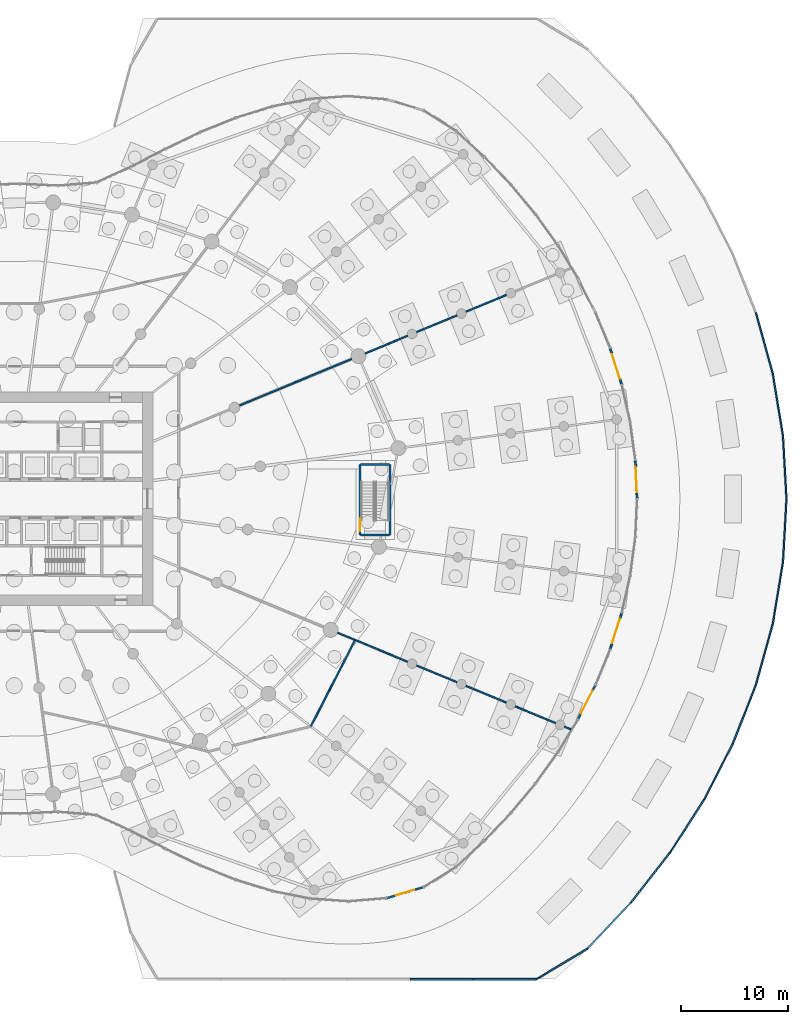
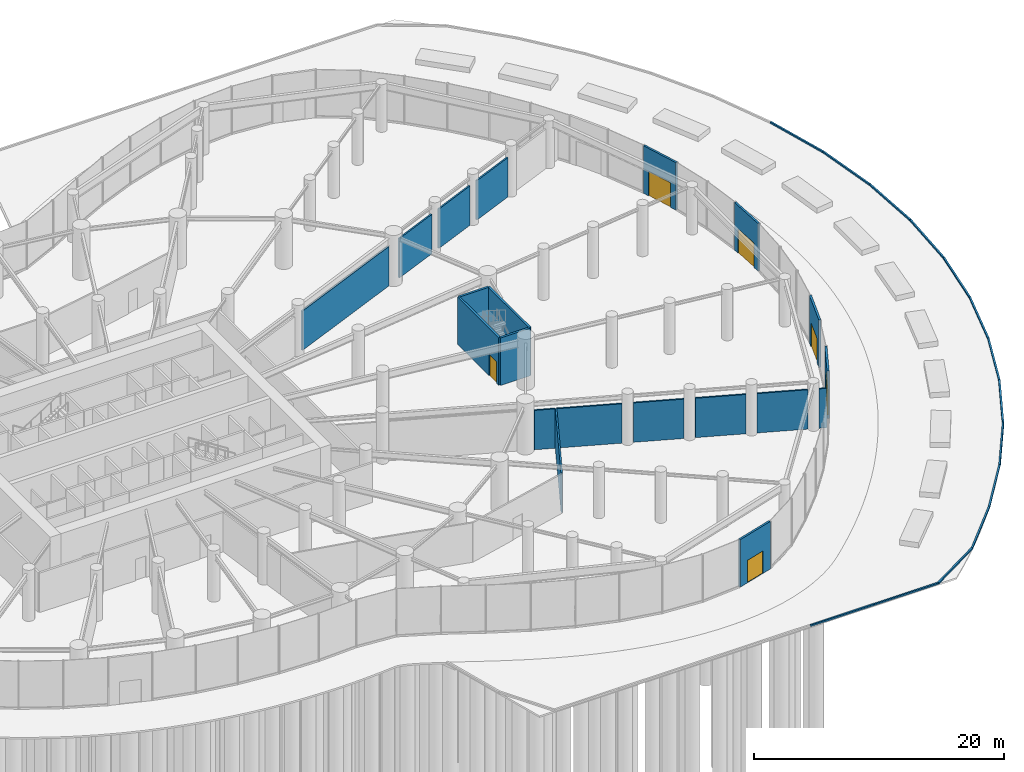
# One storey, part 22 of 28: 34 walls, 6 doors, 6 openings.
"""IFC4 building model written with IfcOpenShell, lengths in metres."""

import ifcopenshell
import ifcopenshell.guid

model = None  # the IFC model being written
_history = None  # IfcOwnerHistory: only IFC2X3 demands one
_inside = {}  # id of a spatial element -> (the spatial element, [elements in it])
_under = {}  # id of a project, library or spatial element -> (it, [spatial elements below it])
_declared = {}  # id of a project -> (the project, [libraries it declares])
_typed = {}  # id of a type object -> (the type object, [elements of that type])
_made_of = {}  # id of a material, layer set ... -> (it, [elements and type objects made of it])


def new_model(schema):
    """Start an empty IFC model of exactly this schema.

    Asked for "IFC4X3", IfcOpenShell would pick the latest addendum, in which some entities
    have other attributes; the version numbers below select the first issue.
    IFC2X3 requires an IfcOwnerHistory on every rooted entity: one is made here for all.
    """
    global model, _history
    if schema == "IFC4X3":
        model = ifcopenshell.file(schema_version=(4, 3, 0, 0))
    else:
        model = ifcopenshell.file(schema=schema)
    _inside.clear()
    _under.clear()
    _declared.clear()
    _typed.clear()
    _made_of.clear()
    _history = None
    if model.schema == "IFC2X3":
        org = make("IfcOrganization", Name="unknown")
        user = make(
            "IfcPersonAndOrganization",
            ThePerson=make("IfcPerson", FamilyName="unknown"),
            TheOrganization=org,
        )
        app = make(
            "IfcApplication",
            ApplicationDeveloper=org,
            Version="unknown",
            ApplicationFullName="unknown",
            ApplicationIdentifier="unknown",
        )
        _history = make(
            "IfcOwnerHistory",
            OwningUser=user,
            OwningApplication=app,
            ChangeAction="ADDED",
            CreationDate=0,
        )
    return model


def make(cls, **values):
    """One entity of the class cls with the attributes given. An attribute that is None is left unset."""
    return model.create_entity(
        cls, **{name: value for name, value in values.items() if value is not None}
    )


def rooted(cls, **values):
    """An entity with a GlobalId (a new one), such as an element, a storey or a relation."""
    return make(cls, GlobalId=ifcopenshell.guid.new(), OwnerHistory=_history, **values)


def si_unit(unit_type, name, prefix=None):
    """IfcSIUnit, for example si_unit("LENGTHUNIT", "METRE", prefix="MILLI")."""
    return make("IfcSIUnit", UnitType=unit_type, Prefix=prefix, Name=name)


def assignment(units):
    """IfcUnitAssignment: the units of a project."""
    return None if units is None else make("IfcUnitAssignment", Units=units)


def point(xyz):
    """IfcCartesianPoint."""
    return None if xyz is None else make("IfcCartesianPoint", Coordinates=xyz)


def direction(xyz):
    """IfcDirection."""
    return None if xyz is None else make("IfcDirection", DirectionRatios=xyz)


def frame(location, z_axis=None, x_axis=None):
    """IfcAxis2Placement3D, a coordinate frame: its origin and axes. An axis left out is left unset."""
    return make(
        "IfcAxis2Placement3D",
        Location=point(location),
        Axis=direction(z_axis),
        RefDirection=direction(x_axis),
    )


def frame_2d(location, x_axis=None):
    """IfcAxis2Placement2D, a coordinate frame in the plane: its origin and x axis."""
    return make(
        "IfcAxis2Placement2D", Location=point(location), RefDirection=direction(x_axis)
    )


def origin():
    """The frame at (0, 0, 0) with its axes left unset."""
    return frame((0.0, 0.0, 0.0))


def place(relative_to, where):
    """IfcLocalPlacement: puts the frame where relative to a parent placement (None: the world)."""
    return make(
        "IfcLocalPlacement", PlacementRelTo=relative_to, RelativePlacement=where
    )


def context(
    kind, dimensions, precision=None, world=None, true_north=None, identifier=None
):
    """IfcGeometricRepresentationContext, for example the 3D "Model" context."""
    return make(
        "IfcGeometricRepresentationContext",
        ContextIdentifier=identifier,
        ContextType=kind,
        CoordinateSpaceDimension=dimensions,
        Precision=precision,
        WorldCoordinateSystem=world,
        TrueNorth=true_north,
    )


def subcontext(parent, identifier, kind, view, scale=None):
    """IfcGeometricRepresentationSubContext, for example "Body" below "Model"."""
    return make(
        "IfcGeometricRepresentationSubContext",
        ContextIdentifier=identifier,
        ContextType=kind,
        ParentContext=parent,
        TargetScale=scale,
        TargetView=view,
    )


def project(units=None, contexts=None):
    """IfcProject with its units and contexts."""
    return rooted(
        "IfcProject",
        Name="project",
        RepresentationContexts=contexts,
        UnitsInContext=assignment(units),
    )


def spatial(cls, under=None, at=None, **own):
    """A site, building, storey or space (cls), placed at a placement, below another one or the project."""
    s = rooted(cls, ObjectPlacement=at, **own)
    if under is not None:
        _under.setdefault(under.id(), (under, []))[1].append(s)
    return s


def profile(cls, at=None, kind="AREA", **sizes):
    """A parametric profile (cls). Its sizes go by their IFC names, for example OverallWidth=200.0."""
    return make(cls, ProfileType=kind, Position=at, **sizes)


def rectangle(**sizes):
    """IfcRectangleProfileDef."""
    return profile("IfcRectangleProfileDef", **sizes)


def extrude(swept, where, along, depth):
    """IfcExtrudedAreaSolid: the profile swept, set in the frame where, extruded along a direction by depth."""
    return make(
        "IfcExtrudedAreaSolid",
        SweptArea=swept,
        Position=where,
        ExtrudedDirection=direction(along),
        Depth=depth,
    )


def shape(context_of_items, identifier, shape_type, items):
    """IfcShapeRepresentation: the items that make up one representation, for example the "Body"."""
    return make(
        "IfcShapeRepresentation",
        ContextOfItems=context_of_items,
        RepresentationIdentifier=identifier,
        RepresentationType=shape_type,
        Items=items,
    )


def source(mapping_origin, context_of_items, identifier, shape_type, items):
    """IfcRepresentationMap: a shape defined once, which mapped items show again and again."""
    return make(
        "IfcRepresentationMap",
        MappingOrigin=mapping_origin,
        MappedRepresentation=shape(context_of_items, identifier, shape_type, items),
    )


def transform(
    local_origin,
    x_axis=None,
    y_axis=None,
    z_axis=None,
    scale=None,
    scale2=None,
    scale3=None,
    uniform=True,
):
    """IfcCartesianTransformationOperator3D, or its non-uniform kind. x_axis, y_axis, z_axis: its Axis1, 2, 3."""
    if uniform:
        return make(
            "IfcCartesianTransformationOperator3D",
            Axis1=direction(x_axis),
            Axis2=direction(y_axis),
            LocalOrigin=point(local_origin),
            Scale=scale,
            Axis3=direction(z_axis),
        )
    return make(
        "IfcCartesianTransformationOperator3DnonUniform",
        Axis1=direction(x_axis),
        Axis2=direction(y_axis),
        LocalOrigin=point(local_origin),
        Scale=scale,
        Axis3=direction(z_axis),
        Scale2=scale2,
        Scale3=scale3,
    )


def mapped(mapping_source, mapping_target):
    """IfcMappedItem: shows the shape of a source again, moved by a transform."""
    return make(
        "IfcMappedItem", MappingSource=mapping_source, MappingTarget=mapping_target
    )


def material(Name=None, Category=None):
    """IfcMaterial."""
    return make("IfcMaterial", Name=Name, Category=Category)


def layer(
    of_material, thickness, ventilated=None, Name=None, Category=None, Priority=None
):
    """IfcMaterialLayer: one layer of a wall or slab, of a material (None: an air gap)."""
    return make(
        "IfcMaterialLayer",
        Material=of_material,
        LayerThickness=thickness,
        IsVentilated=ventilated,
        Name=Name,
        Category=Category,
        Priority=Priority,
    )


def layer_set(layers, Name=None):
    """IfcMaterialLayerSet."""
    return make("IfcMaterialLayerSet", MaterialLayers=layers, LayerSetName=Name)


def made_of(thing, what):
    """Note that an element or type object is made of a material, layer set ...; save() writes the relation."""
    if what is not None:
        _made_of.setdefault(what.id(), (what, []))[1].append(thing)
    return thing


def type_object(cls, material=None, **own):
    """A type object (cls), such as IfcWallType, which elements share."""
    return made_of(rooted(cls, **own), material)


def element(
    cls,
    number,
    at=None,
    inside=None,
    cuts=None,
    type_object=None,
    material=None,
    context=None,
    identifier="Body",
    shape_type=None,
    held_by="IfcProductDefinitionShape",
    body=None,
    shapes=None,
    **own,
):
    """One element of the class cls, such as IfcWall. Its Tag is "e" and its number.

    at: its placement. inside: the storey or other place that contains it. cuts: it is an
    opening in that element (IfcRelVoidsElement). A single representation is given by context,
    identifier, shape_type and body (its items); several are given by shapes. held_by: the class
    of the entity that holds the representations. save() writes the other relations.
    """
    e = rooted(cls, Tag="e%d" % number, ObjectPlacement=at, **own)
    if body is not None:
        shapes = [shape(context, identifier, shape_type, body)]
    if shapes is not None:
        e.Representation = make(held_by, Representations=shapes)
    if inside is not None:
        _inside.setdefault(inside.id(), (inside, []))[1].append(e)
    if cuts is not None:
        rooted(
            "IfcRelVoidsElement", RelatingBuildingElement=cuts, RelatedOpeningElement=e
        )
    if type_object is not None:
        _typed.setdefault(type_object.id(), (type_object, []))[1].append(e)
    return made_of(e, material)


def fill(opening, filler):
    """IfcRelFillsElement: the door or window that sits in an opening."""
    return rooted(
        "IfcRelFillsElement",
        RelatingOpeningElement=opening,
        RelatedBuildingElement=filler,
    )


def aggregate(whole, parts):
    """IfcRelAggregates: a whole, such as a stair, and the parts it consists of."""
    return rooted("IfcRelAggregates", RelatingObject=whole, RelatedObjects=parts)


def save(model, path):
    """Write the relations noted so far, then the file.

    IfcRelAggregates (storeys below a building ...), IfcRelContainedInSpatialStructure (elements
    in a storey), IfcRelDefinesByType, IfcRelAssociatesMaterial and IfcRelDeclares: one each for
    every whole, place, type object, material and project.
    """
    for whole, parts in _under.values():
        aggregate(whole, parts)
    for where, things in _inside.values():
        rooted(
            "IfcRelContainedInSpatialStructure",
            RelatedElements=things,
            RelatingStructure=where,
        )
    for kind, things in _typed.values():
        rooted("IfcRelDefinesByType", RelatedObjects=things, RelatingType=kind)
    for what, things in _made_of.values():
        rooted("IfcRelAssociatesMaterial", RelatedObjects=things, RelatingMaterial=what)
    for by, libraries in _declared.values():
        rooted("IfcRelDeclares", RelatingContext=by, RelatedDefinitions=libraries)
    model.write(path)


model = new_model("IFC4")

# Units and contexts
model_context = context("Model", 3, precision=1e-05, world=origin(), true_north=direction((0.0, 1.0)))
body_context = subcontext(model_context, "Body", "Model", "MODEL_VIEW")
ifc_project = project(units=[si_unit("LENGTHUNIT", "METRE"), si_unit("AREAUNIT", "SQUARE_METRE"), si_unit("VOLUMEUNIT", "CUBIC_METRE"), si_unit("PLANEANGLEUNIT", "RADIAN"), si_unit("MASSUNIT", "GRAM", prefix="KILO")], contexts=[model_context])

# Site, building, storey
site_placement = place(None, origin())
site = spatial("IfcSite", under=ifc_project, at=site_placement, CompositionType="ELEMENT")
building_placement = place(site_placement, origin())
building = spatial("IfcBuilding", under=site, at=building_placement, Name="Spindrift Exchange Tower", CompositionType="ELEMENT")
storey_placement = place(building_placement, origin())
storey = spatial("IfcBuildingStorey", under=building, at=storey_placement, Name="L00", CompositionType="ELEMENT", Elevation=0.0)

# Walls
ifc_material_1 = material(Name="Concrete 32 MPa precast kerb", Category="concrete")
ifc_layer_1 = layer(ifc_material_1, 0.14990234375)
ifc_layer_set_1 = layer_set([ifc_layer_1], Name="GARDEN KERB 150X150")
wall_type_1 = type_object("IfcWallType", Name="GARDEN KERB 150X150", PredefinedType="STANDARD", material=ifc_layer_set_1)
for number, where, z_axis, x_axis, name in (
    (1, (121.477294921875, 65.4345703125, 0.0), (0.0, 0.0, 1.0), (0.267705625976, -0.963500751334, 0.0), "L00 Garden Kerb 15"),
    (2, (123.06005859375, 59.738037109375, 0.0), (0.0, 0.0, 1.0), (0.161539021124, -0.986866325626, 0.0), "L00 Garden Kerb 16"),
):
    element("IfcWall", number, at=place(storey_placement, frame(where, z_axis=z_axis, x_axis=x_axis)), inside=storey, type_object=wall_type_1, Name=name, PredefinedType="STANDARD", context=body_context, shape_type="SweptSolid", body=[
        extrude(rectangle(XDim=5.912353515625, YDim=0.14990234375, at=frame_2d((2.9560546875, 0.0))), origin(), (0.0, 0.0, 1.0), 0.14990234375),
    ])
wall_1_placement = place(storey_placement, frame((124.01513671875, 53.9033203125, 0.0), z_axis=(0.0, 0.0, 1.0), x_axis=(0.055785615482, -0.99844277007, 0.0)))
element("IfcWall", 3, at=wall_1_placement, inside=storey, type_object=wall_type_1, Name="L00 Garden Kerb 17", PredefinedType="STANDARD", context=body_context, shape_type="SweptSolid", body=[
    extrude(rectangle(XDim=5.91259765625, YDim=0.14990234375, at=frame_2d((2.956298828125, 0.0))), origin(), (0.0, 0.0, 1.0), 0.14990234375),
])
wall_2_placement = place(storey_placement, frame((124.344970703125, 48.0, 0.0), z_axis=(0.0, 0.0, 1.0), x_axis=(-0.0546673333, -0.998504623259, 0.0)))
element("IfcWall", 4, at=wall_2_placement, inside=storey, type_object=wall_type_1, Name="L00 Garden Kerb 18", PredefinedType="STANDARD", context=body_context, shape_type="SweptSolid", body=[
    extrude(rectangle(XDim=5.912841796875, YDim=0.14990234375, at=frame_2d((2.95654296875, 0.0))), origin(), (0.0, 0.0, 1.0), 0.14990234375),
])
wall_3_placement = place(storey_placement, frame((124.021728515625, 42.095947265625, 0.0), z_axis=(0.0, 0.0, 1.0), x_axis=(-0.16264442666, -0.986684747261, 0.0)))
element("IfcWall", 5, at=wall_3_placement, inside=storey, type_object=wall_type_1, Name="L00 Garden Kerb 19", PredefinedType="STANDARD", context=body_context, shape_type="SweptSolid", body=[
    extrude(rectangle(XDim=5.91259765625, YDim=0.14990234375, at=frame_2d((2.956298828125, 0.0))), origin(), (0.0, 0.0, 1.0), 0.14990234375),
])
wall_4_placement = place(storey_placement, frame((123.06005859375, 36.261962890625, 0.0), z_axis=(0.0, 0.0, 1.0), x_axis=(-0.267705625976, -0.963500751334, 0.0)))
element("IfcWall", 6, at=wall_4_placement, inside=storey, type_object=wall_type_1, Name="L00 Garden Kerb 20", PredefinedType="STANDARD", context=body_context, shape_type="SweptSolid", body=[
    extrude(rectangle(XDim=5.912353515625, YDim=0.14990234375, at=frame_2d((2.9560546875, 0.0))), origin(), (0.0, 0.0, 1.0), 0.14990234375),
])
wall_5_placement = place(storey_placement, frame((121.477294921875, 30.5654296875, 0.0), z_axis=(0.0, 0.0, 1.0), x_axis=(-0.364724714124, -0.931115397202, 0.0)))
element("IfcWall", 7, at=wall_5_placement, inside=storey, type_object=wall_type_1, Name="L00 Garden Kerb 21", PredefinedType="STANDARD", context=body_context, shape_type="SweptSolid", body=[
    extrude(rectangle(XDim=5.91259765625, YDim=0.14990234375, at=frame_2d((2.956298828125, 0.0))), origin(), (0.0, 0.0, 1.0), 0.14990234375),
])
wall_6_placement = place(storey_placement, frame((119.32080078125, 25.06005859375, 0.0), z_axis=(0.0, 0.0, 1.0), x_axis=(-0.456404652494, -0.889772326599, 0.0)))
element("IfcWall", 8, at=wall_6_placement, inside=storey, type_object=wall_type_1, Name="L00 Garden Kerb 22", PredefinedType="STANDARD", context=body_context, shape_type="SweptSolid", body=[
    extrude(rectangle(XDim=5.91357421875, YDim=0.14990234375, at=frame_2d((2.956787109375, 0.0))), origin(), (0.0, 0.0, 1.0), 0.14990234375),
])
for number, where, z_axis, x_axis, name in (
    (9, (116.621826171875, 19.79833984375, 0.0), (0.0, 0.0, 1.0), (-0.541435541123, -0.840742264198, 0.0), "L00 Garden Kerb 23"),
    (10, (113.419921875, 14.826416015625, 0.0), (0.0, 0.0, 1.0), (-0.617022652235, -0.786945389864, 0.0), "L00 Garden Kerb 24"),
):
    element("IfcWall", number, at=place(storey_placement, frame(where, z_axis=z_axis, x_axis=x_axis)), inside=storey, type_object=wall_type_1, Name=name, PredefinedType="STANDARD", context=body_context, shape_type="SweptSolid", body=[
        extrude(rectangle(XDim=5.913818359375, YDim=0.14990234375, at=frame_2d((2.95703125, 0.0))), origin(), (0.0, 0.0, 1.0), 0.14990234375),
    ])
wall_7_placement = place(storey_placement, frame((109.77099609375, 10.172607421875, 0.0), z_axis=(0.0, 0.0, 1.0), x_axis=(-0.686035348608, -0.727568210177, 0.0)))
element("IfcWall", 11, at=wall_7_placement, inside=storey, type_object=wall_type_1, Name="L00 Garden Kerb 25", PredefinedType="STANDARD", context=body_context, shape_type="SweptSolid", body=[
    extrude(rectangle(XDim=5.91357421875, YDim=0.14990234375, at=frame_2d((2.956787109375, 0.0))), origin(), (0.0, 0.0, 1.0), 0.14990234375),
])
wall_8_placement = place(storey_placement, frame((105.714111328125, 5.8701171875, 0.0), z_axis=(0.0, 0.0, 1.0), x_axis=(-0.857824486024, -0.513942750876, 0.0)))
element("IfcWall", 12, at=wall_8_placement, inside=storey, type_object=wall_type_1, Name="L00 Garden Kerb 26", PredefinedType="STANDARD", context=body_context, shape_type="SweptSolid", body=[
    extrude(rectangle(XDim=5.58447265625, YDim=0.14990234375, at=frame_2d((2.792236328125, 0.0))), origin(), (0.0, 0.0, 1.0), 0.14990234375),
])
for number, where, z_axis, x_axis, name in (
    (13, (100.923583984375, 3.0, 0.0), (0.0, 0.0, 1.0), (-1.0, 0.0, 0.0), "L00 Garden Kerb 27"),
    (14, (95.0078125, 3.0, 0.0), (0.0, 0.0, 1.0), (-1.0, 0.0, 0.0), "L00 Garden Kerb 28"),
):
    element("IfcWall", number, at=place(storey_placement, frame(where, z_axis=z_axis, x_axis=x_axis)), inside=storey, type_object=wall_type_1, Name=name, PredefinedType="STANDARD", context=body_context, shape_type="SweptSolid", body=[
        extrude(rectangle(XDim=5.915771484375, YDim=0.14990234375, at=frame_2d((2.9580078125, 0.0))), origin(), (0.0, 0.0, 1.0), 0.14990234375),
    ])

# Wall, opening, door
ifc_material_2 = material(Name="Bronze anodised aluminium frame with fritted laminated glass spandrel", Category="aluminium")
ifc_layer_2 = layer(ifc_material_2, 0.179931640625)
ifc_layer_set_2 = layer_set([ifc_layer_2], Name="UNITISED FRAME WALL")
wall_type_2 = type_object("IfcWallType", Name="UNITISED FRAME WALL", PredefinedType="STANDARD", material=ifc_layer_set_2)
wall_9_placement = place(storey_placement, frame((110.1875, 51.5537109375, 0.0), z_axis=(0.0, 0.0, 1.0), x_axis=(0.045666197332, -0.998956755031, 0.0)))
wall_9 = element("IfcWall", 15, at=wall_9_placement, inside=storey, type_object=wall_type_2, Name="L00 Frame Wall 1", PredefinedType="STANDARD", context=body_context, shape_type="SweptSolid", body=[
    extrude(rectangle(XDim=3.512451171875, YDim=0.179931640625, at=frame_2d((1.75634765625, 0.0))), origin(), (0.0, 0.0, 1.0), 4.64990234375),
])
opening_1_placement = place(wall_9_placement, frame((0.55615234375, 0.0, 0.0)))
opening_1 = element("IfcOpeningElement", 16, at=opening_1_placement, cuts=wall_9, Name="Opening ED00-12", PredefinedType="OPENING", context=body_context, shape_type="SweptSolid", body=[
    extrude(rectangle(XDim=2.39990234375, YDim=2.39990234375, at=frame_2d((1.199951171875, 1.199951171875))), frame((0.0, 0.099853515625, 0.0), z_axis=(0.0, -1.0, 0.0), x_axis=(1.0, 0.0, 0.0)), (0.0, 0.0, 1.0), 0.199951171875),
])
ifc_material_3 = material(Name="Toughened laminated glass in bronze frame", Category="glass")
door_type_1 = type_object("IfcDoorType", Name="GARDEN PAVILION ENTRANCE DOOR 2400X2400", OperationType="DOUBLE_DOOR_SINGLE_SWING", PredefinedType="DOOR", material=ifc_material_3)
shared_shape_1 = source(origin(), body_context, "Body", "SweptSolid", [
    extrude(rectangle(XDim=2.39990234375, YDim=2.39990234375, at=frame_2d((1.199951171875, 1.199951171875))), frame((0.0, 0.02490234375, 0.0), z_axis=(0.0, -1.0, 0.0), x_axis=(1.0, 0.0, 0.0)), (0.0, 0.0, 1.0), 0.050048828125),
])
door_1_placement = place(opening_1_placement, origin())
door_1 = element("IfcDoor", 17, at=door_1_placement, inside=storey, type_object=door_type_1, Name="L00 Garden Pavilion Entrance Door ED00-12", OperationType="DOUBLE_DOOR_SINGLE_SWING", OverallHeight=2.39990234375, OverallWidth=2.39990234375, PredefinedType="DOOR", context=body_context, shape_type="MappedRepresentation", body=[
    mapped(shared_shape_1, transform((0.0, 0.0, 0.0), scale=1.0)),
])
fill(opening_1, door_1)

wall_10_placement = place(storey_placement, frame((107.833251953125, 62.07275390625, 0.0), z_axis=(0.0, 0.0, 1.0), x_axis=(0.30291387635, -0.953017934519, 0.0)))
wall_10 = element("IfcWall", 18, at=wall_10_placement, inside=storey, type_object=wall_type_2, Name="L00 Frame Wall 4", PredefinedType="STANDARD", context=body_context, shape_type="SweptSolid", body=[
    extrude(rectangle(XDim=3.512451171875, YDim=0.179931640625, at=frame_2d((1.75634765625, 0.0))), origin(), (0.0, 0.0, 1.0), 4.64990234375),
])
opening_2_placement = place(wall_10_placement, frame((0.55615234375, 0.0, 0.0)))
opening_2 = element("IfcOpeningElement", 19, at=opening_2_placement, cuts=wall_10, Name="Opening ED00-4", PredefinedType="OPENING", context=body_context, shape_type="SweptSolid", body=[
    extrude(rectangle(XDim=2.39990234375, YDim=2.39990234375, at=frame_2d((1.199951171875, 1.199951171875))), frame((0.0, 0.099853515625, 0.0), z_axis=(0.0, -1.0, 0.0), x_axis=(1.0, 0.0, 0.0)), (0.0, 0.0, 1.0), 0.199951171875),
])
door_2_placement = place(opening_2_placement, origin())
door_2 = element("IfcDoor", 20, at=door_2_placement, inside=storey, type_object=door_type_1, Name="L00 Garden Pavilion Entrance Door ED00-4", OperationType="DOUBLE_DOOR_SINGLE_SWING", OverallHeight=2.39990234375, OverallWidth=2.39990234375, PredefinedType="DOOR", context=body_context, shape_type="MappedRepresentation", body=[
    mapped(shared_shape_1, transform((0.0, 0.0, 0.0), scale=1.0)),
])
fill(opening_2, door_2)

wall_11_placement = place(storey_placement, frame((90.301025390625, 11.612060546875, 0.0), z_axis=(0.0, 0.0, 1.0), x_axis=(-0.957845455976, -0.287283975305, 0.0)))
wall_11 = element("IfcWall", 21, at=wall_11_placement, inside=storey, type_object=wall_type_2, Name="L00 Frame Wall 64", PredefinedType="STANDARD", context=body_context, shape_type="SweptSolid", body=[
    extrude(rectangle(XDim=3.504638671875, YDim=0.179931640625, at=frame_2d((1.75244140625, 0.0))), origin(), (0.0, 0.0, 1.0), 4.64990234375),
])
opening_3_placement = place(wall_11_placement, frame((0.852294921875, 0.0, 0.0)))
opening_3 = element("IfcOpeningElement", 22, at=opening_3_placement, cuts=wall_11, Name="Opening ED00-10", PredefinedType="OPENING", context=body_context, shape_type="SweptSolid", body=[
    extrude(rectangle(XDim=1.800048828125, YDim=2.199951171875, at=frame_2d((0.89990234375, 1.10009765625))), frame((0.0, 0.099853515625, 0.0), z_axis=(0.0, -1.0, 0.0), x_axis=(1.0, 0.0, 0.0)), (0.0, 0.0, 1.0), 0.199951171875),
])
ifc_material_4 = material(Name="Galvanised steel door leaf, polyester powder coat", Category="steel")
door_type_2 = type_object("IfcDoorType", Name="PLANT ROOM EXIT DOOR 1800X2200", OperationType="DOUBLE_DOOR_SINGLE_SWING", PredefinedType="DOOR", material=ifc_material_4)
shared_shape_2 = source(origin(), body_context, "Body", "SweptSolid", [
    extrude(rectangle(XDim=1.800048828125, YDim=2.199951171875, at=frame_2d((0.89990234375, 1.10009765625))), frame((0.0, 0.02490234375, 0.0), z_axis=(0.0, -1.0, 0.0), x_axis=(1.0, 0.0, 0.0)), (0.0, 0.0, 1.0), 0.050048828125),
])
door_3_placement = place(opening_3_placement, origin())
door_3 = element("IfcDoor", 23, at=door_3_placement, inside=storey, type_object=door_type_2, Name="L00 Plant Room Exit Door ED00-10", OperationType="DOUBLE_DOOR_SINGLE_SWING", OverallHeight=2.199951171875, OverallWidth=1.800048828125, PredefinedType="DOOR", context=body_context, shape_type="MappedRepresentation", body=[
    mapped(shared_shape_2, transform((0.0, 0.0, 0.0), scale=1.0)),
])
fill(opening_3, door_3)

wall_12_placement = place(storey_placement, frame((106.42529296875, 30.51416015625, 0.0), z_axis=(0.0, 0.0, 1.0), x_axis=(-0.454510860578, -0.890741195643, 0.0)))
wall_12 = element("IfcWall", 24, at=wall_12_placement, inside=storey, type_object=wall_type_2, Name="L00 Frame Wall 71", PredefinedType="STANDARD", context=body_context, shape_type="SweptSolid", body=[
    extrude(rectangle(XDim=3.512451171875, YDim=0.179931640625, at=frame_2d((1.75634765625, 0.0))), origin(), (0.0, 0.0, 1.0), 4.64990234375),
])
opening_4_placement = place(wall_12_placement, frame((0.556396484375, 0.0, 0.0)))
opening_4 = element("IfcOpeningElement", 25, at=opening_4_placement, cuts=wall_12, Name="Opening ED00-11", PredefinedType="OPENING", context=body_context, shape_type="SweptSolid", body=[
    extrude(rectangle(XDim=2.39990234375, YDim=2.39990234375, at=frame_2d((1.199951171875, 1.199951171875))), frame((0.0, 0.099853515625, 0.0), z_axis=(0.0, -1.0, 0.0), x_axis=(1.0, 0.0, 0.0)), (0.0, 0.0, 1.0), 0.199951171875),
])
door_4_placement = place(opening_4_placement, origin())
door_4 = element("IfcDoor", 26, at=door_4_placement, inside=storey, type_object=door_type_1, Name="L00 Garden Pavilion Entrance Door ED00-11", OperationType="DOUBLE_DOOR_SINGLE_SWING", OverallHeight=2.39990234375, OverallWidth=2.39990234375, PredefinedType="DOOR", context=body_context, shape_type="MappedRepresentation", body=[
    mapped(shared_shape_1, transform((0.0, 0.0, 0.0), scale=1.0)),
])
fill(opening_4, door_4)

wall_13_placement = place(storey_placement, frame((108.897216796875, 37.274658203125, 0.0), z_axis=(0.0, 0.0, 1.0), x_axis=(-0.30291387635, -0.953017934519, 0.0)))
wall_13 = element("IfcWall", 27, at=wall_13_placement, inside=storey, type_object=wall_type_2, Name="L00 Frame Wall 73", PredefinedType="STANDARD", context=body_context, shape_type="SweptSolid", body=[
    extrude(rectangle(XDim=3.512451171875, YDim=0.179931640625, at=frame_2d((1.75634765625, 0.0))), origin(), (0.0, 0.0, 1.0), 4.64990234375),
])
opening_5_placement = place(wall_13_placement, frame((0.55615234375, 0.0, 0.0)))
opening_5 = element("IfcOpeningElement", 28, at=opening_5_placement, cuts=wall_13, Name="Opening ED00-3", PredefinedType="OPENING", context=body_context, shape_type="SweptSolid", body=[
    extrude(rectangle(XDim=2.39990234375, YDim=2.39990234375, at=frame_2d((1.199951171875, 1.199951171875))), frame((0.0, 0.099853515625, 0.0), z_axis=(0.0, -1.0, 0.0), x_axis=(1.0, 0.0, 0.0)), (0.0, 0.0, 1.0), 0.199951171875),
])
door_5_placement = place(opening_5_placement, origin())
door_5 = element("IfcDoor", 29, at=door_5_placement, inside=storey, type_object=door_type_1, Name="L00 Garden Pavilion Entrance Door ED00-3", OperationType="DOUBLE_DOOR_SINGLE_SWING", OverallHeight=2.39990234375, OverallWidth=2.39990234375, PredefinedType="DOOR", context=body_context, shape_type="MappedRepresentation", body=[
    mapped(shared_shape_1, transform((0.0, 0.0, 0.0), scale=1.0)),
])
fill(opening_5, door_5)

# Walls
ifc_material_5 = material(Name="Fire-rated plasterboard partition", Category="gypsum")
ifc_layer_3 = layer(ifc_material_5, 0.139892578125)
ifc_layer_set_3 = layer_set([ifc_layer_3], Name="W-PART-140")
wall_type_3 = type_object("IfcWallType", Name="W-PART-140", PredefinedType="PARTITIONING", material=ifc_layer_set_3)
wall_14_placement = place(storey_placement, frame((73.10595703125, 56.7421875, 0.0), z_axis=(0.0, 0.0, 1.0), x_axis=(0.923875075531, 0.382694192291, 0.0)))
element("IfcWall", 30, at=wall_14_placement, inside=storey, type_object=wall_type_3, Name="L00 Partition wall 70", PredefinedType="PARTITIONING", context=body_context, shape_type="SweptSolid", body=[
    extrude(rectangle(XDim=11.356201171875, YDim=0.139892578125, at=frame_2d((5.67822265625, 0.0))), origin(), (0.0, 0.0, 1.0), 3.85009765625),
])
wall_15_placement = place(storey_placement, frame((82.2958984375, 35.450927734375, 0.0), z_axis=(0.0, 0.0, 1.0), x_axis=(0.923894384947, -0.382647573445, 0.0)))
element("IfcWall", 31, at=wall_15_placement, inside=storey, type_object=wall_type_3, Name="L00 Partition wall 81", PredefinedType="PARTITIONING", context=body_context, shape_type="SweptSolid", body=[
    extrude(rectangle(XDim=1.700927734375, YDim=0.139892578125, at=frame_2d((0.8505859375, 0.0))), origin(), (0.0, 0.0, 1.0), 3.85009765625),
])
wall_16_placement = place(storey_placement, frame((84.900146484375, 61.627685546875, 0.0), z_axis=(0.0, 0.0, 1.0), x_axis=(0.923871522787, 0.382702768979, 0.0)))
element("IfcWall", 32, at=wall_16_placement, inside=storey, type_object=wall_type_3, Name="L00 Partition wall 98", PredefinedType="PARTITIONING", context=body_context, shape_type="SweptSolid", body=[
    extrude(rectangle(XDim=4.280029296875, YDim=0.139892578125, at=frame_2d((2.14013671875, 0.0))), origin(), (0.0, 0.0, 1.0), 3.85009765625),
])
wall_17_placement = place(storey_placement, frame((94.314208984375, 65.527099609375, 0.0), z_axis=(0.0, 0.0, 1.0), x_axis=(0.923874959136, 0.382694473284, 0.0)))
element("IfcWall", 33, at=wall_17_placement, inside=storey, type_object=wall_type_3, Name="L00 Partition wall 100", PredefinedType="PARTITIONING", context=body_context, shape_type="SweptSolid", body=[
    extrude(rectangle(XDim=4.08984375, YDim=0.139892578125, at=frame_2d((2.044921875, 0.0))), origin(), (0.0, 0.0, 1.0), 3.85009765625),
])
wall_18_placement = place(storey_placement, frame((89.695068359375, 63.61376953125, 0.0), z_axis=(0.0, 0.0, 1.0), x_axis=(0.92386621601, 0.382715579661, 0.0)))
element("IfcWall", 34, at=wall_18_placement, inside=storey, type_object=wall_type_3, Name="L00 Partition wall 104", PredefinedType="PARTITIONING", context=body_context, shape_type="SweptSolid", body=[
    extrude(rectangle(XDim=4.089599609375, YDim=0.139892578125, at=frame_2d((2.044921875, 0.0))), origin(), (0.0, 0.0, 1.0), 3.85009765625),
])
ifc_layer_4 = layer(ifc_material_5, 0.139892578125)
ifc_layer_set_4 = layer_set([ifc_layer_4], Name="W-PLANT-140")
wall_type_4 = type_object("IfcWallType", Name="W-PLANT-140", PredefinedType="PARTITIONING", material=ifc_layer_set_4)
wall_19_placement = place(storey_placement, frame((79.80126953125, 26.70458984375, 0.0), z_axis=(0.0, 0.0, 1.0), x_axis=(0.455715060909, 0.890125712055, 0.0)))
element("IfcWall", 35, at=wall_19_placement, inside=storey, type_object=wall_type_4, Name="L00 Partition wall 78", PredefinedType="PARTITIONING", context=body_context, shape_type="SweptSolid", body=[
    extrude(rectangle(XDim=9.064453125, YDim=0.139892578125, at=frame_2d((4.5322265625, 0.0))), origin(), (0.0, 0.0, 1.0), 3.85009765625),
])
wall_20_placement = place(storey_placement, frame((83.9599609375, 34.76171875, 0.0), z_axis=(0.0, 0.0, 1.0), x_axis=(0.923875284448, -0.382693687936, 0.0)))
element("IfcWall", 36, at=wall_20_placement, inside=storey, type_object=wall_type_4, Name="L00 Partition wall 82", PredefinedType="PARTITIONING", context=body_context, shape_type="SweptSolid", body=[
    extrude(rectangle(XDim=5.297607421875, YDim=0.139892578125, at=frame_2d((2.64892578125, 0.0))), origin(), (0.0, 0.0, 1.0), 3.85009765625),
])
wall_21_placement = place(storey_placement, frame((94.314208984375, 30.472900390625, 0.0), z_axis=(0.0, 0.0, 1.0), x_axis=(0.923874959136, -0.382694473284, 0.0)))
element("IfcWall", 37, at=wall_21_placement, inside=storey, type_object=wall_type_4, Name="L00 Partition wall 99", PredefinedType="PARTITIONING", context=body_context, shape_type="SweptSolid", body=[
    extrude(rectangle(XDim=4.08984375, YDim=0.139892578125, at=frame_2d((2.044921875, 0.0))), origin(), (0.0, 0.0, 1.0), 3.85009765625),
])
for number, where, z_axis, x_axis, name in (
    (38, (98.93359375, 28.5595703125, 0.0), (0.0, 0.0, 1.0), (0.92386621601, -0.382715579661, 0.0), "L00 Partition wall 102"),
    (39, (89.695068359375, 32.38623046875, 0.0), (0.0, 0.0, 1.0), (0.92386621601, -0.382715579661, 0.0), "L00 Partition wall 103"),
):
    element("IfcWall", number, at=place(storey_placement, frame(where, z_axis=z_axis, x_axis=x_axis)), inside=storey, type_object=wall_type_4, Name=name, PredefinedType="PARTITIONING", context=body_context, shape_type="SweptSolid", body=[
        extrude(rectangle(XDim=4.089599609375, YDim=0.139892578125, at=frame_2d((2.044921875, 0.0))), origin(), (0.0, 0.0, 1.0), 3.85009765625),
    ])
wall_22_placement = place(storey_placement, frame((103.552734375, 26.646240234375, 0.0), z_axis=(0.0, 0.0, 1.0), x_axis=(0.923782000419, -0.382918810849, 0.0)))
element("IfcWall", 40, at=wall_22_placement, inside=storey, type_object=wall_type_4, Name="L00 Partition wall 130", PredefinedType="PARTITIONING", context=body_context, shape_type="SweptSolid", body=[
    extrude(rectangle(XDim=0.6337890625, YDim=0.139892578125, at=frame_2d((0.31689453125, 0.0))), origin(), (0.0, 0.0, 1.0), 3.85009765625),
])
ifc_material_6 = material(Name="Concrete 40 MPa", Category="concrete")
ifc_layer_5 = layer(ifc_material_6, 0.199951171875)
ifc_layer_set_5 = layer_set([ifc_layer_5], Name="W-SHAFT-200-LB")
wall_type_5 = type_object("IfcWallType", Name="W-SHAFT-200-LB", PredefinedType="SOLIDWALL", material=ifc_layer_set_5)
wall_23_placement = place(storey_placement, frame((87.199951171875, 44.60009765625, 0.0), z_axis=(0.0, 0.0, 1.0), x_axis=(0.0, 1.0, 0.0)))
element("IfcWall", 41, at=wall_23_placement, inside=storey, type_object=wall_type_5, Name="L00 Shaft wall 3", PredefinedType="SOLIDWALL", context=body_context, shape_type="SweptSolid", body=[
    extrude(rectangle(XDim=6.599853515625, YDim=0.199951171875, at=frame_2d((3.2998046875, 0.0))), origin(), (0.0, 0.0, 1.0), 4.64990234375),
])

# Wall, opening, door
wall_24_placement = place(storey_placement, frame((84.39990234375, 44.60009765625, 0.0), z_axis=(0.0, 0.0, 1.0), x_axis=(0.0, 1.0, 0.0)))
wall_24 = element("IfcWall", 42, at=wall_24_placement, inside=storey, type_object=wall_type_5, Name="L00 Shaft wall 4", PredefinedType="SOLIDWALL", context=body_context, shape_type="SweptSolid", body=[
    extrude(rectangle(XDim=6.599853515625, YDim=0.199951171875, at=frame_2d((3.2998046875, 0.0))), origin(), (0.0, 0.0, 1.0), 4.64990234375),
])
opening_6_placement = place(wall_24_placement, frame((0.35009765625, 0.0, 0.0)))
opening_6 = element("IfcOpeningElement", 43, at=opening_6_placement, cuts=wall_24, Name="Opening L00-D45", PredefinedType="OPENING", context=body_context, shape_type="SweptSolid", body=[
    extrude(rectangle(XDim=1.199951171875, YDim=2.10009765625, at=frame_2d((0.60009765625, 1.050048828125))), frame((0.0, 0.10986328125, 0.0), z_axis=(0.0, -1.0, 0.0), x_axis=(1.0, 0.0, 0.0)), (0.0, 0.0, 1.0), 0.219970703125),
])
ifc_material_7 = material(Name="Steel fire door", Category="steel")
door_type_3 = type_object("IfcDoorType", Name="DR-STAIR-1200", OperationType="NOTDEFINED", PredefinedType="DOOR", material=ifc_material_7)
shared_shape_3 = source(origin(), body_context, "Body", "SweptSolid", [
    extrude(rectangle(XDim=1.199951171875, YDim=2.10009765625, at=frame_2d((0.60009765625, 1.050048828125))), frame((0.0, 0.02490234375, 0.0), z_axis=(0.0, -1.0, 0.0), x_axis=(1.0, 0.0, 0.0)), (0.0, 0.0, 1.0), 0.050048828125),
])
door_6_placement = place(opening_6_placement, origin())
door_6 = element("IfcDoor", 44, at=door_6_placement, inside=storey, type_object=door_type_3, Name="L00 Stair door 45", OperationType="SINGLE_SWING_RIGHT", OverallHeight=2.10009765625, OverallWidth=1.199951171875, PredefinedType="DOOR", context=body_context, shape_type="MappedRepresentation", body=[
    mapped(shared_shape_3, transform((0.0, 0.0, 0.0), scale=1.0)),
])
fill(opening_6, door_6)

# Walls
for number, where, z_axis, x_axis, name in (
    (45, (84.429931640625, 44.60009765625, 0.0), (0.0, 0.0, 1.0), (1.0, 0.0, 0.0), "L00 Shaft wall 17"),
    (46, (87.169921875, 51.199951171875, 0.0), (0.0, 0.0, 1.0), (-1.0, 0.0, 0.0), "L00 Shaft wall 18"),
):
    element("IfcWall", number, at=place(storey_placement, frame(where, z_axis=z_axis, x_axis=x_axis)), inside=storey, type_object=wall_type_5, Name=name, PredefinedType="SOLIDWALL", context=body_context, shape_type="SweptSolid", body=[
        extrude(rectangle(XDim=2.739990234375, YDim=0.199951171875, at=frame_2d((1.3701171875, 0.0))), origin(), (0.0, 0.0, 1.0), 4.64990234375),
    ])

save(model, "model.ifc")
